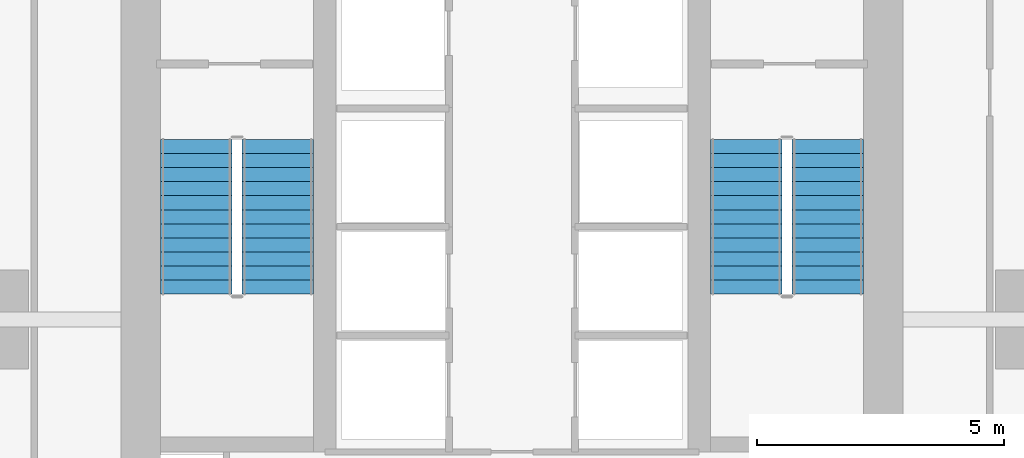
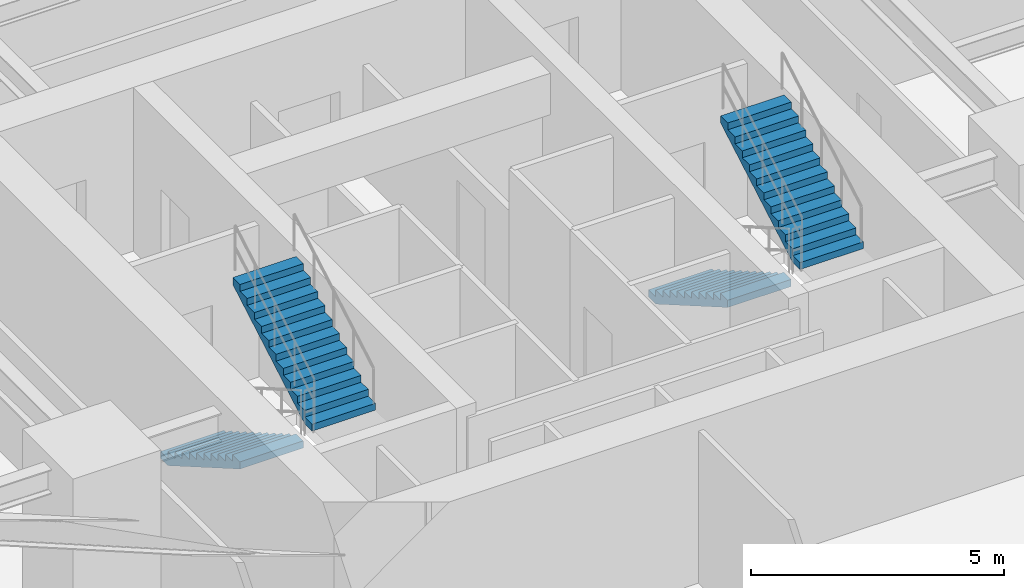
# One storey, part 25 of 27: 4 stair flights, 2 elements without a shape of their own.
"""IFC4 building model written with IfcOpenShell, lengths in metres."""

from ifc_helpers import new_model, si_unit, direction, frame, origin, place, context, subcontext, project, spatial, polyline, outline, extrude, material, type_object, element, aggregate, save


model = new_model("IFC4")

# Units and contexts
model_context = context("Model", 3, precision=1e-05, world=origin(), true_north=direction((0.0, 1.0)))
body_context = subcontext(model_context, "Body", "Model", "MODEL_VIEW")
ifc_project = project(units=[si_unit("LENGTHUNIT", "METRE"), si_unit("AREAUNIT", "SQUARE_METRE"), si_unit("VOLUMEUNIT", "CUBIC_METRE"), si_unit("PLANEANGLEUNIT", "RADIAN"), si_unit("MASSUNIT", "GRAM", prefix="KILO")], contexts=[model_context])

# Site, building, storey
site_placement = place(None, origin())
site = spatial("IfcSite", under=ifc_project, at=site_placement, CompositionType="ELEMENT")
building_placement = place(site_placement, origin())
building = spatial("IfcBuilding", under=site, at=building_placement, Name="Krantzveldt Concourse Tower", CompositionType="ELEMENT")
storey_placement = place(building_placement, frame((0.0, 0.0, 121.64990234375)))
storey = spatial("IfcBuildingStorey", under=building, at=storey_placement, Name="L29", CompositionType="ELEMENT", Elevation=121.64990234375)

# Stair, stair flights
ifc_material = material(Name="Precast concrete C40/50", Category="concrete")
stair_type = type_object("IfcStairType", Name="STR-CORE-DOGLEG", PredefinedType="HALF_TURN_STAIR", material=ifc_material)
stair_1_placement = place(storey_placement, origin())
stair_1 = element("IfcStair", 1, at=stair_1_placement, inside=storey, type_object=stair_type, Name="L29 Protected Escape Stair ST-1", PredefinedType="HALF_TURN_STAIR")
stair_flight_type = type_object("IfcStairFlightType", Name="STF-CORE-1450", PredefinedType="STRAIGHT", material=ifc_material)
stair_flight_1_placement = place(storey_placement, frame((29.60498046875, 19.550048828125, 0.0), z_axis=(0.0, 0.0, 1.0), x_axis=(0.0, -1.0, 0.0)))
stair_flight_1 = element("IfcStairFlight", 2, at=stair_flight_1_placement, type_object=stair_flight_type, Name="ST-1 flight 1", NumberOfRisers=12, NumberOfTreads=11, PredefinedType="STRAIGHT", RiserHeight=0.164583333, TreadLength=0.285, context=body_context, shape_type="SweptSolid", body=[
    extrude(outline(polyline([(0.0, 0.0), (0.0, 0.16455078125), (0.284912109375, 0.16455078125), (0.284912109375, 0.3291015625), (0.570068359375, 0.3291015625), (0.570068359375, 0.49365234375), (0.85498046875, 0.49365234375), (0.85498046875, 0.658447265625), (1.139892578125, 0.658447265625), (1.139892578125, 0.822998046875), (1.425048828125, 0.822998046875), (1.425048828125, 0.987548828125), (1.7099609375, 0.987548828125), (1.7099609375, 1.152099609375), (1.9951171875, 1.152099609375), (1.9951171875, 1.316650390625), (2.280029296875, 1.316650390625), (2.280029296875, 1.481201171875), (2.56494140625, 1.481201171875), (2.56494140625, 1.645751953125), (2.85009765625, 1.645751953125), (2.85009765625, 1.810302734375), (3.135009765625, 1.810302734375), (3.135009765625, 1.97509765625), (3.135009765625, 1.63720703125), (0.2998046875, 0.0), (0.0, 0.0)])), frame((0.0, 0.72509765625, 0.0), z_axis=(0.0, -1.0, 0.0), x_axis=(1.0, 0.0, 0.0)), (0.0, 0.0, 1.0), 1.449951171875),
])
stair_flight_2_placement = place(storey_placement, frame((31.2548828125, 16.4150390625, 1.97509765625), z_axis=(0.0, 0.0, 1.0), x_axis=(0.0, 1.0, 0.0)))
stair_flight_2 = element("IfcStairFlight", 3, at=stair_flight_2_placement, type_object=stair_flight_type, Name="ST-1 flight 2", NumberOfRisers=12, NumberOfTreads=11, PredefinedType="STRAIGHT", RiserHeight=0.164583333, TreadLength=0.285, context=body_context, shape_type="SweptSolid", body=[
    extrude(outline(polyline([(0.0, 0.0), (0.0, 0.16455078125), (0.284912109375, 0.16455078125), (0.284912109375, 0.3291015625), (0.570068359375, 0.3291015625), (0.570068359375, 0.49365234375), (0.85498046875, 0.49365234375), (0.85498046875, 0.658447265625), (1.139892578125, 0.658447265625), (1.139892578125, 0.822998046875), (1.425048828125, 0.822998046875), (1.425048828125, 0.987548828125), (1.7099609375, 0.987548828125), (1.7099609375, 1.152099609375), (1.9951171875, 1.152099609375), (1.9951171875, 1.316650390625), (2.280029296875, 1.316650390625), (2.280029296875, 1.481201171875), (2.56494140625, 1.481201171875), (2.56494140625, 1.645751953125), (2.85009765625, 1.645751953125), (2.85009765625, 1.810302734375), (3.135009765625, 1.810302734375), (3.135009765625, 1.97509765625), (3.135009765625, 1.63720703125), (0.2998046875, 0.0), (0.0, 0.0)])), frame((0.0, 0.72509765625, 0.0), z_axis=(0.0, -1.0, 0.0), x_axis=(1.0, 0.0, 0.0)), (0.0, 0.0, 1.0), 1.449951171875),
])
aggregate(stair_1, [stair_flight_1, stair_flight_2])

stair_2_placement = place(storey_placement, origin())
stair_2 = element("IfcStair", 4, at=stair_2_placement, inside=storey, type_object=stair_type, Name="L29 Protected Escape Stair ST-2", PredefinedType="HALF_TURN_STAIR")
stair_flight_3_placement = place(storey_placement, frame((40.7451171875, 19.550048828125, 0.0), z_axis=(0.0, 0.0, 1.0), x_axis=(0.0, -1.0, 0.0)))
stair_flight_3 = element("IfcStairFlight", 5, at=stair_flight_3_placement, type_object=stair_flight_type, Name="ST-2 flight 1", NumberOfRisers=12, NumberOfTreads=11, PredefinedType="STRAIGHT", RiserHeight=0.164583333, TreadLength=0.285, context=body_context, shape_type="SweptSolid", body=[
    extrude(outline(polyline([(0.0, 0.0), (0.0, 0.16455078125), (0.284912109375, 0.16455078125), (0.284912109375, 0.3291015625), (0.570068359375, 0.3291015625), (0.570068359375, 0.49365234375), (0.85498046875, 0.49365234375), (0.85498046875, 0.658447265625), (1.139892578125, 0.658447265625), (1.139892578125, 0.822998046875), (1.425048828125, 0.822998046875), (1.425048828125, 0.987548828125), (1.7099609375, 0.987548828125), (1.7099609375, 1.152099609375), (1.9951171875, 1.152099609375), (1.9951171875, 1.316650390625), (2.280029296875, 1.316650390625), (2.280029296875, 1.481201171875), (2.56494140625, 1.481201171875), (2.56494140625, 1.645751953125), (2.85009765625, 1.645751953125), (2.85009765625, 1.810302734375), (3.135009765625, 1.810302734375), (3.135009765625, 1.97509765625), (3.135009765625, 1.63720703125), (0.2998046875, 0.0), (0.0, 0.0)])), frame((0.0, 0.72509765625, 0.0), z_axis=(0.0, -1.0, 0.0), x_axis=(1.0, 0.0, 0.0)), (0.0, 0.0, 1.0), 1.449951171875),
])
stair_flight_4_placement = place(storey_placement, frame((42.39501953125, 16.4150390625, 1.97509765625), z_axis=(0.0, 0.0, 1.0), x_axis=(0.0, 1.0, 0.0)))
stair_flight_4 = element("IfcStairFlight", 6, at=stair_flight_4_placement, type_object=stair_flight_type, Name="ST-2 flight 2", NumberOfRisers=12, NumberOfTreads=11, PredefinedType="STRAIGHT", RiserHeight=0.164583333, TreadLength=0.285, context=body_context, shape_type="SweptSolid", body=[
    extrude(outline(polyline([(0.0, 0.0), (0.0, 0.16455078125), (0.284912109375, 0.16455078125), (0.284912109375, 0.3291015625), (0.570068359375, 0.3291015625), (0.570068359375, 0.49365234375), (0.85498046875, 0.49365234375), (0.85498046875, 0.658447265625), (1.139892578125, 0.658447265625), (1.139892578125, 0.822998046875), (1.425048828125, 0.822998046875), (1.425048828125, 0.987548828125), (1.7099609375, 0.987548828125), (1.7099609375, 1.152099609375), (1.9951171875, 1.152099609375), (1.9951171875, 1.316650390625), (2.280029296875, 1.316650390625), (2.280029296875, 1.481201171875), (2.56494140625, 1.481201171875), (2.56494140625, 1.645751953125), (2.85009765625, 1.645751953125), (2.85009765625, 1.810302734375), (3.135009765625, 1.810302734375), (3.135009765625, 1.97509765625), (3.135009765625, 1.63720703125), (0.2998046875, 0.0), (0.0, 0.0)])), frame((0.0, 0.72509765625, 0.0), z_axis=(0.0, -1.0, 0.0), x_axis=(1.0, 0.0, 0.0)), (0.0, 0.0, 1.0), 1.449951171875),
])
aggregate(stair_2, [stair_flight_3, stair_flight_4])

save(model, "model.ifc")
